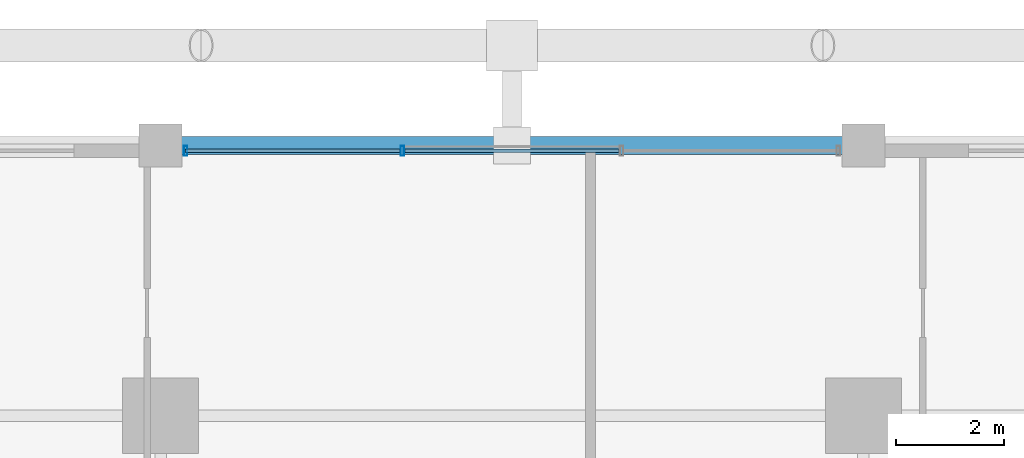
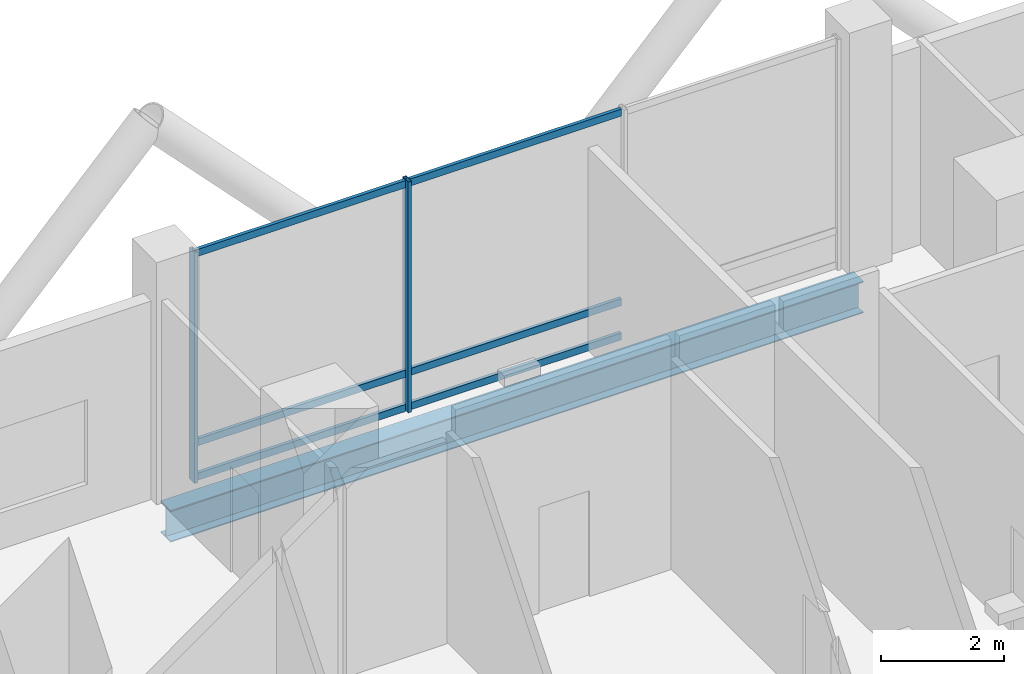
# One storey, part 16 of 33: 8 members, 1 beam, 1 element without a shape of its own.
"""IFC4 building model written with IfcOpenShell, lengths in metres."""

from ifc_helpers import new_model, si_unit, direction, frame, origin, origin_2d, place, context, subcontext, project, spatial, hollow_rectangle, i_section, extrude, material, layer, layer_set, material_profile, profile_set, type_object, element, aggregate, save


model = new_model("IFC4")

# Units and contexts
model_context = context("Model", 3, precision=1e-05, world=origin(), true_north=direction((0.0, 1.0)))
body_context = subcontext(model_context, "Body", "Model", "MODEL_VIEW")
ifc_project = project(units=[si_unit("LENGTHUNIT", "METRE"), si_unit("AREAUNIT", "SQUARE_METRE"), si_unit("VOLUMEUNIT", "CUBIC_METRE"), si_unit("PLANEANGLEUNIT", "RADIAN"), si_unit("MASSUNIT", "GRAM", prefix="KILO")], contexts=[model_context])

# Site, building, storey
site_placement = place(None, origin())
site = spatial("IfcSite", under=ifc_project, at=site_placement, CompositionType="ELEMENT")
building_placement = place(site_placement, origin())
building = spatial("IfcBuilding", under=site, at=building_placement, Name="Barlavira Tower and Art Museum", CompositionType="ELEMENT")
storey_placement = place(building_placement, frame((0.0, 0.0, 27.60009765625)))
storey = spatial("IfcBuildingStorey", under=building, at=storey_placement, Name="L05", CompositionType="ELEMENT", Elevation=27.60009765625)

# Curtain wall, members
ifc_material_1 = material(Name="Low-iron coastal laminated glass", Category="glass")
ifc_layer = layer(ifc_material_1, 0.179931640625, Name="Low-iron coastal laminated glass")
ifc_layer_set = layer_set([ifc_layer], Name="Low-iron coastal laminated glass")
curtain_wall_type = type_object("IfcCurtainWallType", Name="Pale-Metal Unitised Curtain Wall Zone 1", PredefinedType="NOTDEFINED", material=ifc_layer_set)
curtain_wall_placement = place(storey_placement, origin())
curtain_wall = element("IfcCurtainWall", 1, at=curtain_wall_placement, inside=storey, type_object=curtain_wall_type, Name="L05 Curtain Wall CW1-L05-N-B3", PredefinedType="NOTDEFINED")
ifc_material_2 = material(Name="Pale anodised aluminium", Category="aluminium")
ifc_material_profile_1 = material_profile(ifc_material_2, hollow_rectangle(XDim=0.06494140625, YDim=0.179931640625, WallThickness=0.00390625, at=origin_2d()), Name="ALU-MULL 65x180x4")
ifc_profile_set_1 = profile_set([ifc_material_profile_1], Name="Pale anodised aluminium")
member_type_1 = type_object("IfcMemberType", Name="Curtain Wall Pale-Metal Mullion 65x180", PredefinedType="MULLION", material=ifc_profile_set_1)
member_1_placement = place(storey_placement, frame((-2.026611328125, 24.89990234375, 0.0), z_axis=(0.0, 0.0, 1.0), x_axis=(-1.0, 0.0, 0.0)))
member_1 = element("IfcMember", 2, at=member_1_placement, type_object=member_type_1, Name="CW1-L05-N-B3 Mullion 2", PredefinedType="MULLION", context=body_context, shape_type="SweptSolid", body=[
    extrude(hollow_rectangle(XDim=0.06494140625, YDim=0.179931640625, WallThickness=0.00390625, at=origin_2d()), origin(), (0.0, 0.0, 1.0), 4.579833984375),
])
member_2_placement = place(storey_placement, frame((-6.034912109375, 24.89990234375, 0.0), z_axis=(0.0, 0.0, 1.0), x_axis=(-1.0, 0.0, 0.0)))
member_2 = element("IfcMember", 3, at=member_2_placement, type_object=member_type_1, Name="CW1-L05-N-B3 Mullion 3", PredefinedType="MULLION", context=body_context, shape_type="SweptSolid", body=[
    extrude(hollow_rectangle(XDim=0.06494140625, YDim=0.179931640625, WallThickness=0.00390625, at=origin_2d()), origin(), (0.0, 0.0, 1.0), 4.579833984375),
])
ifc_material_profile_2 = material_profile(ifc_material_2, hollow_rectangle(XDim=0.06494140625, YDim=0.139892578125, WallThickness=0.00390625, at=origin_2d()), Name="ALU-TRAN 65x140x4")
ifc_profile_set_2 = profile_set([ifc_material_profile_2], Name="Pale anodised aluminium")
member_type_2 = type_object("IfcMemberType", Name="Curtain Wall Pale-Metal Transom 65x140", PredefinedType="USERDEFINED", material=ifc_profile_set_2)
member_3_placement = place(storey_placement, frame((1.981689453125, 24.89990234375, 0.06982421875), z_axis=(-1.0, 0.0, 0.0), x_axis=(0.0, -1.0, 0.0)))
member_3 = element("IfcMember", 4, at=member_3_placement, type_object=member_type_2, Name="CW1-L05-N-B3 Transom 1.1", ObjectType="TRANSOM", PredefinedType="USERDEFINED", context=body_context, shape_type="SweptSolid", body=[
    extrude(hollow_rectangle(XDim=0.06494140625, YDim=0.139892578125, WallThickness=0.00390625, at=origin_2d()), origin(), (0.0, 0.0, 1.0), 3.96337890625),
])
member_4_placement = place(storey_placement, frame((1.981689453125, 24.89990234375, 0.75), z_axis=(-1.0, 0.0, 0.0), x_axis=(0.0, -1.0, 0.0)))
member_4 = element("IfcMember", 5, at=member_4_placement, type_object=member_type_2, Name="CW1-L05-N-B3 Transom 1.2", ObjectType="TRANSOM", PredefinedType="USERDEFINED", context=body_context, shape_type="SweptSolid", body=[
    extrude(hollow_rectangle(XDim=0.06494140625, YDim=0.139892578125, WallThickness=0.00390625, at=origin_2d()), origin(), (0.0, 0.0, 1.0), 3.96337890625),
])
member_5_placement = place(storey_placement, frame((1.981689453125, 24.89990234375, 4.510009765625), z_axis=(-1.0, 0.0, 0.0), x_axis=(0.0, -1.0, 0.0)))
member_5 = element("IfcMember", 6, at=member_5_placement, type_object=member_type_2, Name="CW1-L05-N-B3 Transom 1.3", ObjectType="TRANSOM", PredefinedType="USERDEFINED", context=body_context, shape_type="SweptSolid", body=[
    extrude(hollow_rectangle(XDim=0.06494140625, YDim=0.139892578125, WallThickness=0.00390625, at=origin_2d()), origin(), (0.0, 0.0, 1.0), 3.96337890625),
])
member_6_placement = place(storey_placement, frame((-2.07177734375, 24.89990234375, 0.06982421875), z_axis=(-1.0, 0.0, 0.0), x_axis=(0.0, -1.0, 0.0)))
member_6 = element("IfcMember", 7, at=member_6_placement, type_object=member_type_2, Name="CW1-L05-N-B3 Transom 2.1", ObjectType="TRANSOM", PredefinedType="USERDEFINED", context=body_context, shape_type="SweptSolid", body=[
    extrude(hollow_rectangle(XDim=0.06494140625, YDim=0.139892578125, WallThickness=0.00390625, at=origin_2d()), origin(), (0.0, 0.0, 1.0), 3.963134765625),
])
member_7_placement = place(storey_placement, frame((-2.07177734375, 24.89990234375, 0.75), z_axis=(-1.0, 0.0, 0.0), x_axis=(0.0, -1.0, 0.0)))
member_7 = element("IfcMember", 8, at=member_7_placement, type_object=member_type_2, Name="CW1-L05-N-B3 Transom 2.2", ObjectType="TRANSOM", PredefinedType="USERDEFINED", context=body_context, shape_type="SweptSolid", body=[
    extrude(hollow_rectangle(XDim=0.06494140625, YDim=0.139892578125, WallThickness=0.00390625, at=origin_2d()), origin(), (0.0, 0.0, 1.0), 3.963134765625),
])
member_8_placement = place(storey_placement, frame((-2.07177734375, 24.89990234375, 4.510009765625), z_axis=(-1.0, 0.0, 0.0), x_axis=(0.0, -1.0, 0.0)))
member_8 = element("IfcMember", 9, at=member_8_placement, type_object=member_type_2, Name="CW1-L05-N-B3 Transom 2.3", ObjectType="TRANSOM", PredefinedType="USERDEFINED", context=body_context, shape_type="SweptSolid", body=[
    extrude(hollow_rectangle(XDim=0.06494140625, YDim=0.139892578125, WallThickness=0.00390625, at=origin_2d()), origin(), (0.0, 0.0, 1.0), 3.963134765625),
])
aggregate(curtain_wall, [member_1, member_2, member_3, member_4, member_5, member_6, member_7, member_8])

# Beam
ifc_material_3 = material(Name="Steel S355", Category="steel")
ifc_material_profile_3 = material_profile(ifc_material_3, i_section(OverallWidth=0.327880859375, OverallDepth=0.62890625, WebThickness=0.013916015625, FlangeThickness=0.021484375, at=origin_2d()), Name="W610x174.0")
ifc_profile_set_3 = profile_set([ifc_material_profile_3], Name="Steel S355")
beam_type = type_object("IfcBeamType", Name="Perimeter Spandrel Edge Beam W610x174 Steel S355", PredefinedType="SPANDREL", material=ifc_profile_set_3)
beam_placement = place(storey_placement, frame((-6.5, 25.0, -0.714599609375), z_axis=(1.0, 0.0, 0.0), x_axis=(0.0, 1.0, 0.0)))
element("IfcBeam", 10, at=beam_placement, inside=storey, type_object=beam_type, Name="L05 Spandrel 10", PredefinedType="SPANDREL", context=body_context, shape_type="SweptSolid", body=[
    extrude(i_section(OverallWidth=0.327880859375, OverallDepth=0.62890625, WebThickness=0.013916015625, FlangeThickness=0.021484375, at=origin_2d()), origin(), (0.0, 0.0, 1.0), 13.0),
])

save(model, "model.ifc")
